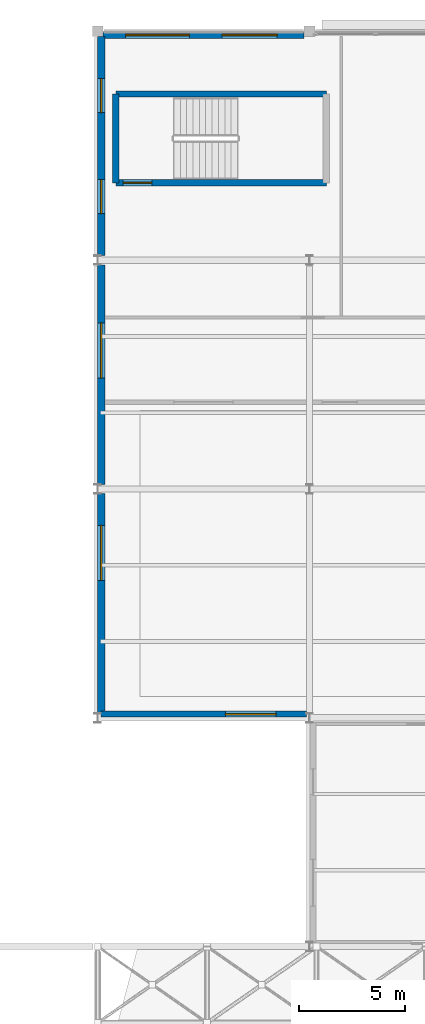
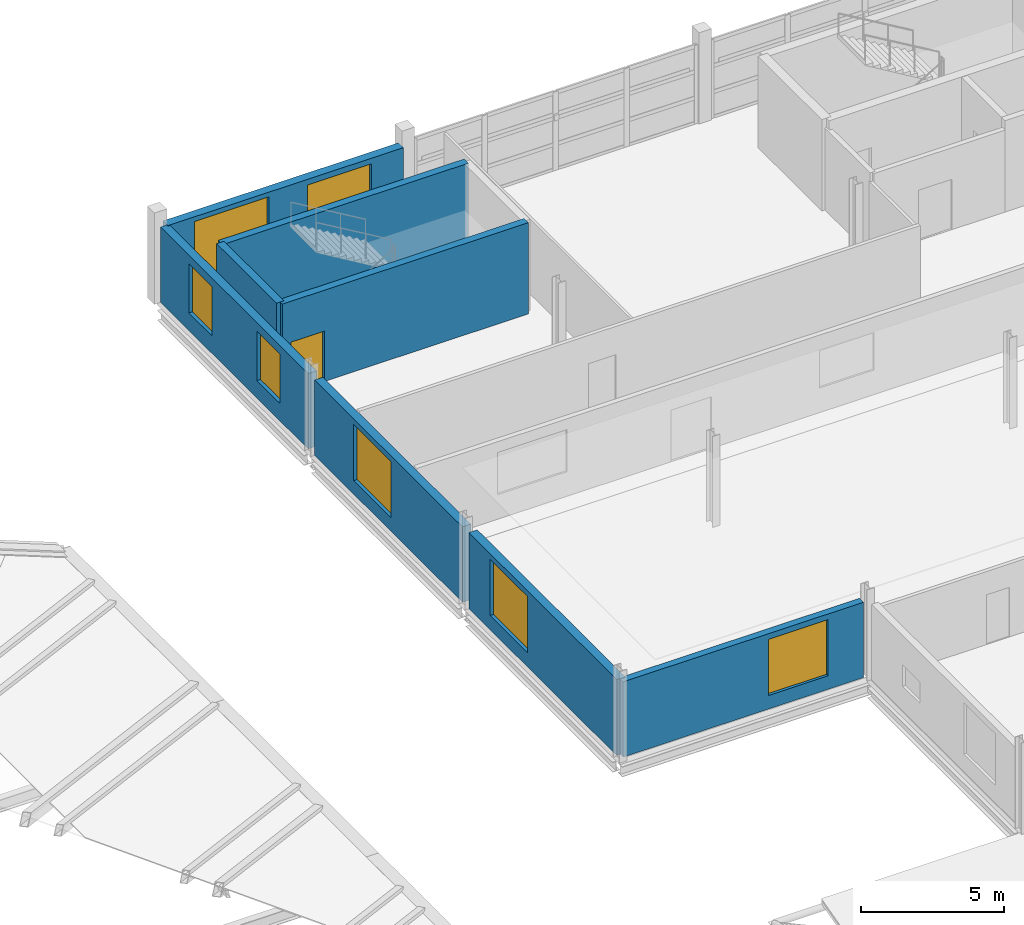
# One storey, part 101 of 110: 8 walls, 7 windows, 1 door, 8 openings.
"""IFC4 building model written with IfcOpenShell, lengths in metres."""

from ifc_helpers import new_model, si_unit, direction, frame, frame_2d, origin, place, context, subcontext, project, spatial, rectangle, extrude, material, layer, layer_set, type_object, element, fill, save


model = new_model("IFC4")

# Units and contexts
model_context = context("Model", 3, precision=1e-05, world=origin(), true_north=direction((0.0, 1.0)))
body_context = subcontext(model_context, "Body", "Model", "MODEL_VIEW")
ifc_project = project(units=[si_unit("LENGTHUNIT", "METRE"), si_unit("AREAUNIT", "SQUARE_METRE"), si_unit("VOLUMEUNIT", "CUBIC_METRE"), si_unit("PLANEANGLEUNIT", "RADIAN"), si_unit("MASSUNIT", "GRAM", prefix="KILO")], contexts=[model_context])

# Site, building, storey
site_placement = place(None, origin())
site = spatial("IfcSite", under=ifc_project, at=site_placement, CompositionType="ELEMENT")
building_placement = place(site_placement, origin())
building = spatial("IfcBuilding", under=site, at=building_placement, Name="Tamarisk Ironworks Central Station", CompositionType="ELEMENT")
storey_placement = place(building_placement, frame((0.0, 0.0, 17.39990234375)))
storey = spatial("IfcBuildingStorey", under=building, at=storey_placement, Name="L03", CompositionType="ELEMENT", Elevation=17.39990234375)

# Wall, opening, window
ifc_material_1 = material(Name="Clay facing brickwork and mortar", Category="masonry")
ifc_layer_1 = layer(ifc_material_1, 0.280029296875)
ifc_layer_set_1 = layer_set([ifc_layer_1], Name="Clay facing brickwork and mortar")
wall_type_1 = type_object("IfcWallType", Name="WL-BR280", PredefinedType="STANDARD", material=ifc_layer_set_1)
wall_1_placement = place(storey_placement, frame((118.14794921875, 90.169921875, 0.0), z_axis=(0.0, 0.0, 1.0), x_axis=(1.0, 0.0, 0.0)))
wall_1 = element("IfcWall", 1, at=wall_1_placement, inside=storey, type_object=wall_type_1, Name="L03 brick facade wall 0086", PredefinedType="STANDARD", context=body_context, shape_type="SweptSolid", body=[
    extrude(rectangle(XDim=9.7041015625, YDim=0.280029296875, at=frame_2d((4.85205078125, 0.0))), origin(), (0.0, 0.0, 1.0), 3.22021484375),
])
opening_1_placement = place(wall_1_placement, frame((5.8779296875, 0.0, 0.580078125)))
opening_1 = element("IfcOpeningElement", 2, at=opening_1_placement, cuts=wall_1, Name="Opening W06", PredefinedType="OPENING", context=body_context, shape_type="SweptSolid", body=[
    extrude(rectangle(XDim=2.39990234375, YDim=2.39990234375, at=frame_2d((1.199951171875, 1.199951171875))), frame((0.0, 0.15185546875, 0.0), z_axis=(0.0, -1.0, 0.0), x_axis=(1.0, 0.0, 0.0)), (0.0, 0.0, 1.0), 0.303955078125),
])
ifc_material_2 = material(Name="Laminated solar-control low-E glass", Category="glass")
window_type_1 = type_object("IfcWindowType", Name="WN-06", PartitioningType="SINGLE_PANEL", PredefinedType="WINDOW", material=ifc_material_2)
window_1_placement = place(opening_1_placement, origin())
window_1 = element("IfcWindow", 3, at=window_1_placement, inside=storey, type_object=window_type_1, Name="L03 exterior window 0147", OverallHeight=2.39990234375, OverallWidth=2.39990234375, PartitioningType="DOUBLE_PANEL_VERTICAL", PredefinedType="WINDOW", context=body_context, shape_type="SweptSolid", body=[
    extrude(rectangle(XDim=2.39990234375, YDim=2.39990234375, at=frame_2d((1.199951171875, 1.199951171875))), frame((0.0, 0.030029296875, 0.0), z_axis=(0.0, -1.0, 0.0), x_axis=(1.0, 0.0, 0.0)), (0.0, 0.0, 1.0), 0.06005859375),
])
fill(opening_1, window_1)

# Wall, openings, windows
ifc_layer_2 = layer(ifc_material_1, 0.340087890625)
ifc_layer_set_2 = layer_set([ifc_layer_2], Name="Clay facing brickwork and mortar")
wall_type_2 = type_object("IfcWallType", Name="WL-BR340", PredefinedType="STANDARD", material=ifc_layer_set_2)
wall_2_placement = place(storey_placement, frame((118.248046875, 122.22998046875, 0.0), z_axis=(0.0, 0.0, 1.0), x_axis=(1.0, 0.0, 0.0)))
wall_2 = element("IfcWall", 4, at=wall_2_placement, inside=storey, type_object=wall_type_2, Name="L03 brick facade wall 0077", PredefinedType="STANDARD", context=body_context, shape_type="SweptSolid", body=[
    extrude(rectangle(XDim=9.50390625, YDim=0.340087890625, at=frame_2d((4.751953125, 0.0))), origin(), (0.0, 0.0, 1.0), 3.25),
])
opening_2_placement = place(wall_2_placement, frame((1.075927734375, 0.0, 0.449951171875)))
opening_2 = element("IfcOpeningElement", 5, at=opening_2_placement, cuts=wall_2, Name="Opening W03", PredefinedType="OPENING", context=body_context, shape_type="SweptSolid", body=[
    extrude(rectangle(XDim=3.0, YDim=2.60009765625, at=frame_2d((1.5, 1.300048828125))), frame((0.0, 0.18212890625, 0.0), z_axis=(0.0, -1.0, 0.0), x_axis=(1.0, 0.0, 0.0)), (0.0, 0.0, 1.0), 0.364013671875),
])
opening_3_placement = place(wall_2_placement, frame((5.6279296875, 0.0, 0.610107421875)))
opening_3 = element("IfcOpeningElement", 6, at=opening_3_placement, cuts=wall_2, Name="Opening W05", PredefinedType="OPENING", context=body_context, shape_type="SweptSolid", body=[
    extrude(rectangle(XDim=2.60009765625, YDim=2.39990234375, at=frame_2d((1.300048828125, 1.199951171875))), frame((0.0, 0.18212890625, 0.0), z_axis=(0.0, -1.0, 0.0), x_axis=(1.0, 0.0, 0.0)), (0.0, 0.0, 1.0), 0.364013671875),
])
window_type_2 = type_object("IfcWindowType", Name="WN-03", PartitioningType="SINGLE_PANEL", PredefinedType="WINDOW", material=ifc_material_2)
window_2_placement = place(opening_2_placement, origin())
window_2 = element("IfcWindow", 7, at=window_2_placement, inside=storey, type_object=window_type_2, Name="L03 exterior window 0131", OverallHeight=2.60009765625, OverallWidth=3.0, PartitioningType="DOUBLE_PANEL_VERTICAL", PredefinedType="WINDOW", context=body_context, shape_type="SweptSolid", body=[
    extrude(rectangle(XDim=3.0, YDim=2.60009765625, at=frame_2d((1.5, 1.300048828125))), frame((0.0, 0.030029296875, 0.0), z_axis=(0.0, -1.0, 0.0), x_axis=(1.0, 0.0, 0.0)), (0.0, 0.0, 1.0), 0.06005859375),
])
fill(opening_2, window_2)
window_type_3 = type_object("IfcWindowType", Name="WN-05", PartitioningType="SINGLE_PANEL", PredefinedType="WINDOW", material=ifc_material_2)
window_3_placement = place(opening_3_placement, origin())
window_3 = element("IfcWindow", 8, at=window_3_placement, inside=storey, type_object=window_type_3, Name="L03 exterior window 0132", OverallHeight=2.39990234375, OverallWidth=2.60009765625, PartitioningType="DOUBLE_PANEL_VERTICAL", PredefinedType="WINDOW", context=body_context, shape_type="SweptSolid", body=[
    extrude(rectangle(XDim=2.60009765625, YDim=2.39990234375, at=frame_2d((1.300048828125, 1.199951171875))), frame((0.0, 0.030029296875, 0.0), z_axis=(0.0, -1.0, 0.0), x_axis=(1.0, 0.0, 0.0)), (0.0, 0.0, 1.0), 0.06005859375),
])
fill(opening_3, window_3)

# Wall, opening, window
wall_3_placement = place(storey_placement, frame((118.169921875, 90.222900390625, 0.0), z_axis=(0.0, 0.0, 1.0), x_axis=(0.0, 1.0, 0.0)))
wall_3 = element("IfcWall", 9, at=wall_3_placement, inside=storey, type_object=wall_type_2, Name="L03 brick facade wall 0083", PredefinedType="STANDARD", context=body_context, shape_type="SweptSolid", body=[
    extrude(rectangle(XDim=10.35400390625, YDim=0.340087890625, at=frame_2d((5.177001953125, 0.0))), origin(), (0.0, 0.0, 1.0), 3.25),
])
opening_4_placement = place(wall_3_placement, frame((6.264892578125, 0.0, 0.610107421875)))
opening_4 = element("IfcOpeningElement", 10, at=opening_4_placement, cuts=wall_3, Name="Opening W05", PredefinedType="OPENING", context=body_context, shape_type="SweptSolid", body=[
    extrude(rectangle(XDim=2.60009765625, YDim=2.39990234375, at=frame_2d((1.300048828125, 1.199951171875))), frame((0.0, 0.18212890625, 0.0), z_axis=(0.0, -1.0, 0.0), x_axis=(1.0, 0.0, 0.0)), (0.0, 0.0, 1.0), 0.364013671875),
])
window_4_placement = place(opening_4_placement, origin())
window_4 = element("IfcWindow", 11, at=window_4_placement, inside=storey, type_object=window_type_3, Name="L03 exterior window 0143", OverallHeight=2.39990234375, OverallWidth=2.60009765625, PartitioningType="DOUBLE_PANEL_VERTICAL", PredefinedType="WINDOW", context=body_context, shape_type="SweptSolid", body=[
    extrude(rectangle(XDim=2.60009765625, YDim=2.39990234375, at=frame_2d((1.300048828125, 1.199951171875))), frame((0.0, 0.030029296875, 0.0), z_axis=(0.0, -1.0, 0.0), x_axis=(1.0, 0.0, 0.0)), (0.0, 0.0, 1.0), 0.06005859375),
])
fill(opening_4, window_4)

wall_4_placement = place(storey_placement, frame((118.169921875, 101.02294921875, 0.0), z_axis=(0.0, 0.0, 1.0), x_axis=(0.0, 1.0, 0.0)))
wall_4 = element("IfcWall", 12, at=wall_4_placement, inside=storey, type_object=wall_type_2, Name="L03 brick facade wall 0084", PredefinedType="STANDARD", context=body_context, shape_type="SweptSolid", body=[
    extrude(rectangle(XDim=10.35400390625, YDim=0.340087890625, at=frame_2d((5.177001953125, 0.0))), origin(), (0.0, 0.0, 1.0), 3.22021484375),
])
opening_5_placement = place(wall_4_placement, frame((5.014892578125, 0.0, 0.580078125)))
opening_5 = element("IfcOpeningElement", 13, at=opening_5_placement, cuts=wall_4, Name="Opening W05", PredefinedType="OPENING", context=body_context, shape_type="SweptSolid", body=[
    extrude(rectangle(XDim=2.60009765625, YDim=2.39990234375, at=frame_2d((1.300048828125, 1.199951171875))), frame((0.0, 0.18212890625, 0.0), z_axis=(0.0, -1.0, 0.0), x_axis=(1.0, 0.0, 0.0)), (0.0, 0.0, 1.0), 0.364013671875),
])
window_5_placement = place(opening_5_placement, origin())
window_5 = element("IfcWindow", 14, at=window_5_placement, inside=storey, type_object=window_type_3, Name="L03 exterior window 0144", OverallHeight=2.39990234375, OverallWidth=2.60009765625, PartitioningType="DOUBLE_PANEL_VERTICAL", PredefinedType="WINDOW", context=body_context, shape_type="SweptSolid", body=[
    extrude(rectangle(XDim=2.60009765625, YDim=2.39990234375, at=frame_2d((1.300048828125, 1.199951171875))), frame((0.0, 0.030029296875, 0.0), z_axis=(0.0, -1.0, 0.0), x_axis=(1.0, 0.0, 0.0)), (0.0, 0.0, 1.0), 0.06005859375),
])
fill(opening_5, window_5)

# Wall, openings, windows
wall_5_placement = place(storey_placement, frame((118.169921875, 111.822998046875, 0.0), z_axis=(0.0, 0.0, 1.0), x_axis=(0.0, 1.0, 0.0)))
wall_5 = element("IfcWall", 15, at=wall_5_placement, inside=storey, type_object=wall_type_2, Name="L03 brick facade wall 0085", PredefinedType="STANDARD", context=body_context, shape_type="SweptSolid", body=[
    extrude(rectangle(XDim=10.3291015625, YDim=0.340087890625, at=frame_2d((5.16455078125, 0.0))), origin(), (0.0, 0.0, 1.0), 3.22021484375),
])
opening_6_placement = place(wall_5_placement, frame((1.98193359375, 0.0, 0.75)))
opening_6 = element("IfcOpeningElement", 16, at=opening_6_placement, cuts=wall_5, Name="Opening W10", PredefinedType="OPENING", context=body_context, shape_type="SweptSolid", body=[
    extrude(rectangle(XDim=1.60009765625, YDim=2.10009765625, at=frame_2d((0.800048828125, 1.050048828125))), frame((0.0, 0.18212890625, 0.0), z_axis=(0.0, -1.0, 0.0), x_axis=(1.0, 0.0, 0.0)), (0.0, 0.0, 1.0), 0.364013671875),
])
opening_7_placement = place(wall_5_placement, frame((6.7470703125, 0.0, 0.75)))
opening_7 = element("IfcOpeningElement", 17, at=opening_7_placement, cuts=wall_5, Name="Opening W10", PredefinedType="OPENING", context=body_context, shape_type="SweptSolid", body=[
    extrude(rectangle(XDim=1.60009765625, YDim=2.10009765625, at=frame_2d((0.800048828125, 1.050048828125))), frame((0.0, 0.18212890625, 0.0), z_axis=(0.0, -1.0, 0.0), x_axis=(1.0, 0.0, 0.0)), (0.0, 0.0, 1.0), 0.364013671875),
])
window_type_4 = type_object("IfcWindowType", Name="WN-10", PartitioningType="SINGLE_PANEL", PredefinedType="WINDOW", material=ifc_material_2)
window_6_placement = place(opening_6_placement, origin())
window_6 = element("IfcWindow", 18, at=window_6_placement, inside=storey, type_object=window_type_4, Name="L03 exterior window 0145", OverallHeight=2.10009765625, OverallWidth=1.60009765625, PartitioningType="DOUBLE_PANEL_VERTICAL", PredefinedType="WINDOW", context=body_context, shape_type="SweptSolid", body=[
    extrude(rectangle(XDim=1.60009765625, YDim=2.10009765625, at=frame_2d((0.800048828125, 1.050048828125))), frame((0.0, 0.030029296875, 0.0), z_axis=(0.0, -1.0, 0.0), x_axis=(1.0, 0.0, 0.0)), (0.0, 0.0, 1.0), 0.06005859375),
])
fill(opening_6, window_6)
window_7_placement = place(opening_7_placement, origin())
window_7 = element("IfcWindow", 19, at=window_7_placement, inside=storey, type_object=window_type_4, Name="L03 exterior window 0146", OverallHeight=2.10009765625, OverallWidth=1.60009765625, PartitioningType="DOUBLE_PANEL_VERTICAL", PredefinedType="WINDOW", context=body_context, shape_type="SweptSolid", body=[
    extrude(rectangle(XDim=1.60009765625, YDim=2.10009765625, at=frame_2d((0.800048828125, 1.050048828125))), frame((0.0, 0.030029296875, 0.0), z_axis=(0.0, -1.0, 0.0), x_axis=(1.0, 0.0, 0.0)), (0.0, 0.0, 1.0), 0.06005859375),
])
fill(opening_7, window_7)

# Wall, opening, door
ifc_material_3 = material(Name="Concrete C50/60", Category="concrete")
ifc_layer_3 = layer(ifc_material_3, 0.300048828125)
ifc_layer_set_3 = layer_set([ifc_layer_3], Name="Concrete C50/60")
wall_type_3 = type_object("IfcWallType", Name="WL-CW300", PredefinedType="SOLIDWALL", material=ifc_layer_set_3)
wall_6_placement = place(storey_placement, frame((118.85498046875, 115.2548828125, 0.0), z_axis=(0.0, 0.0, 1.0), x_axis=(1.0, 0.0, 0.0)))
wall_6 = element("IfcWall", 20, at=wall_6_placement, inside=storey, type_object=wall_type_3, Name="ST-C5 core wall L (L03)", PredefinedType="SOLIDWALL", context=body_context, shape_type="SweptSolid", body=[
    extrude(rectangle(XDim=9.93994140625, YDim=0.300048828125, at=frame_2d((4.969970703125, 0.0))), origin(), (0.0, 0.0, 1.0), 3.900146484375),
])
opening_8_placement = place(wall_6_placement, frame((0.35009765625, 0.0, 0.0048828125)))
opening_8 = element("IfcOpeningElement", 21, at=opening_8_placement, cuts=wall_6, Name="Opening FD05", PredefinedType="OPENING", context=body_context, shape_type="SweptSolid", body=[
    extrude(rectangle(XDim=1.35009765625, YDim=2.14990234375, at=frame_2d((0.675048828125, 1.074951171875))), frame((0.0, 0.162109375, 0.0), z_axis=(0.0, -1.0, 0.0), x_axis=(1.0, 0.0, 0.0)), (0.0, 0.0, 1.0), 0.323974609375),
])
ifc_material_4 = material(Name="Galvanised hollow-metal door steel", Category="steel")
door_type = type_object("IfcDoorType", Name="DR-FD05", OperationType="NOTDEFINED", PredefinedType="DOOR", material=ifc_material_4)
door_placement = place(opening_8_placement, origin())
door = element("IfcDoor", 22, at=door_placement, inside=storey, type_object=door_type, Name="ST-C5 fire stair door (L03)", OperationType="SINGLE_SWING_RIGHT", OverallHeight=2.14990234375, OverallWidth=1.35009765625, PredefinedType="DOOR", context=body_context, shape_type="SweptSolid", body=[
    extrude(rectangle(XDim=1.35009765625, YDim=2.14990234375, at=frame_2d((0.675048828125, 1.074951171875))), frame((0.0, 0.02490234375, 0.0), z_axis=(0.0, -1.0, 0.0), x_axis=(1.0, 0.0, 0.0)), (0.0, 0.0, 1.0), 0.050048828125),
])
fill(opening_8, door)

# Walls
wall_7_placement = place(storey_placement, frame((118.85498046875, 119.445068359375, 0.0), z_axis=(0.0, 0.0, 1.0), x_axis=(1.0, 0.0, 0.0)))
element("IfcWall", 23, at=wall_7_placement, inside=storey, type_object=wall_type_3, Name="ST-C5 core wall R (L03)", PredefinedType="SOLIDWALL", context=body_context, shape_type="SweptSolid", body=[
    extrude(rectangle(XDim=9.93994140625, YDim=0.300048828125, at=frame_2d((4.969970703125, 0.0))), origin(), (0.0, 0.0, 1.0), 3.900146484375),
])
wall_8_placement = place(storey_placement, frame((118.85498046875, 115.2548828125, 0.0), z_axis=(0.0, 0.0, 1.0), x_axis=(0.0, 1.0, 0.0)))
element("IfcWall", 24, at=wall_8_placement, inside=storey, type_object=wall_type_3, Name="ST-C5 core wall N (L03)", PredefinedType="SOLIDWALL", context=body_context, shape_type="SweptSolid", body=[
    extrude(rectangle(XDim=4.190185546875, YDim=0.300048828125, at=frame_2d((2.09521484375, 0.0))), origin(), (0.0, 0.0, 1.0), 3.900146484375),
])

save(model, "model.ifc")
